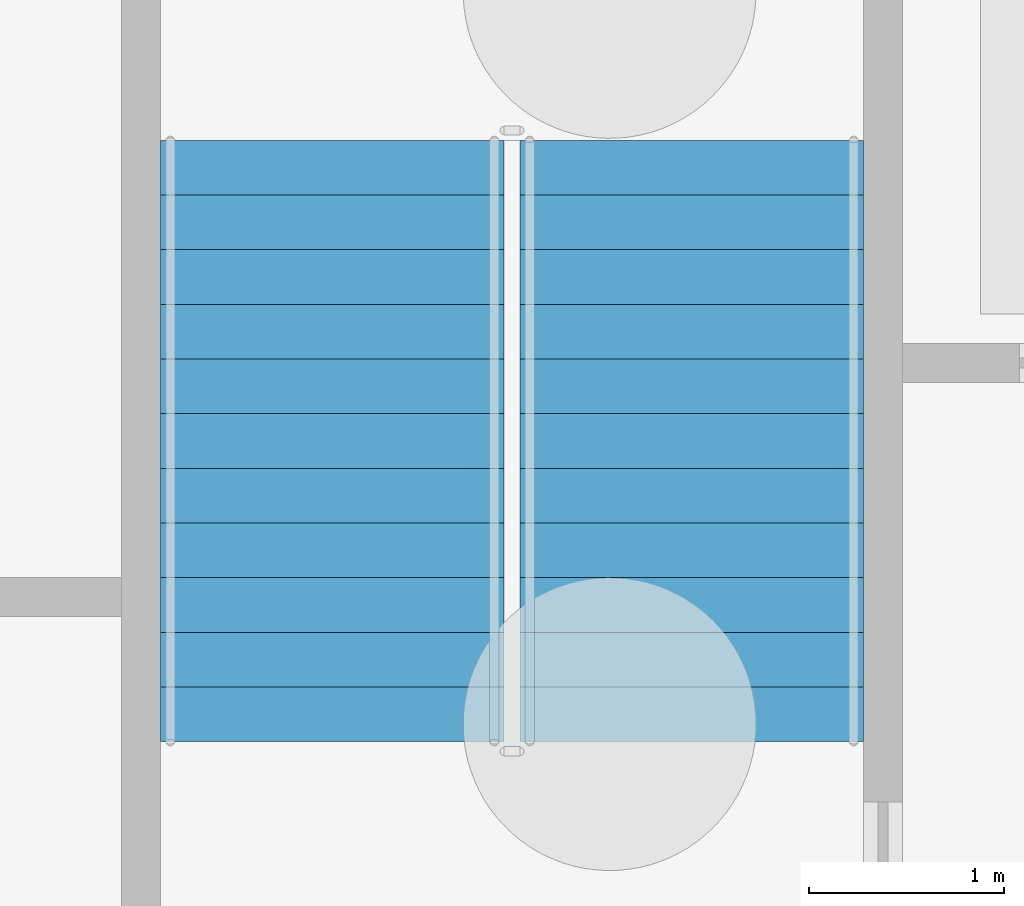
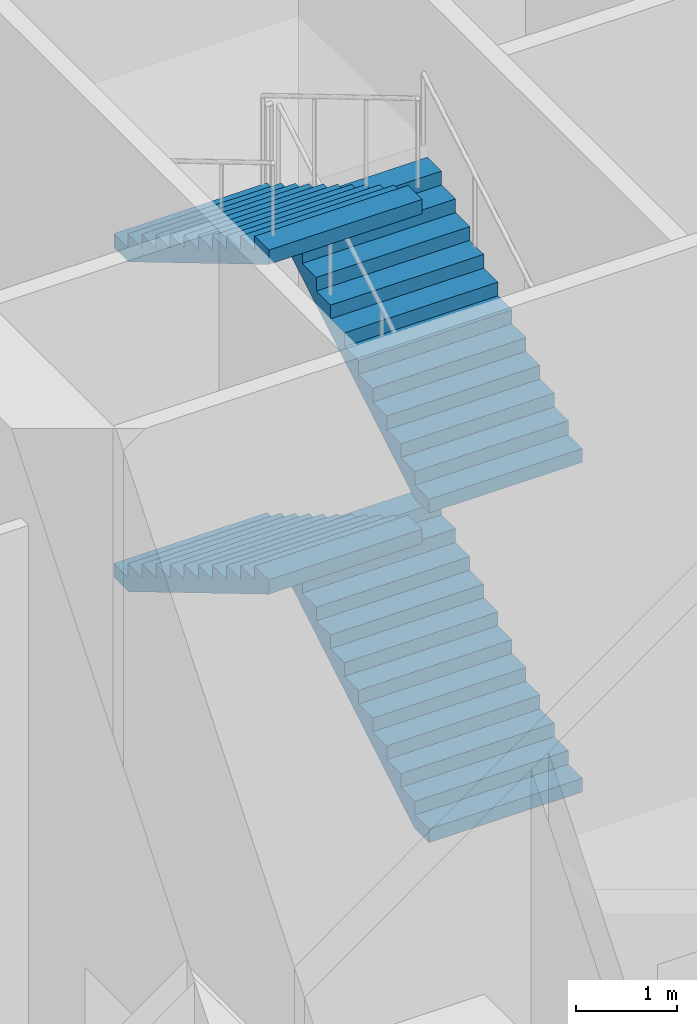
# One storey, part 24 of 34: 4 stair flights, 1 element without a shape of its own.
"""IFC4 building model written with IfcOpenShell, lengths in metres."""

from ifc_helpers import new_model, si_unit, direction, frame, origin, place, context, subcontext, project, spatial, faceted_brep, material, type_object, element, aggregate, save


model = new_model("IFC4")

# Units and contexts
model_context = context("Model", 3, precision=1e-05, world=origin(), true_north=direction((0.0, 1.0)))
body_context = subcontext(model_context, "Body", "Model", "MODEL_VIEW")
ifc_project = project(units=[si_unit("LENGTHUNIT", "METRE"), si_unit("AREAUNIT", "SQUARE_METRE"), si_unit("VOLUMEUNIT", "CUBIC_METRE"), si_unit("PLANEANGLEUNIT", "RADIAN"), si_unit("MASSUNIT", "GRAM", prefix="KILO")], contexts=[model_context])

# Site, building, storey
site_placement = place(None, origin())
site = spatial("IfcSite", under=ifc_project, at=site_placement, CompositionType="ELEMENT")
building_placement = place(site_placement, origin())
building = spatial("IfcBuilding", under=site, at=building_placement, Name="Tarsis Ring Headquarters", CompositionType="ELEMENT")
storey_placement = place(building_placement, origin())
storey = spatial("IfcBuildingStorey", under=building, at=storey_placement, Name="L00", CompositionType="ELEMENT", Elevation=0.0)

# Stair, stair flights
ifc_material_1 = material(Name="Core stair 1760")
stair_type = type_object("IfcStairType", Name="Core stair 1760", PredefinedType="HALF_TURN_STAIR", material=ifc_material_1)
stair_placement = place(storey_placement, origin())
stair = element("IfcStair", 1, at=stair_placement, inside=storey, type_object=stair_type, Name="L00 Firefighting stair", PredefinedType="HALF_TURN_STAIR")
ifc_material_2 = material(Name="Concrete C40/50", Category="concrete")
stair_flight_type = type_object("IfcStairFlightType", Name="Core stair flight 1760", PredefinedType="STRAIGHT", material=ifc_material_2)
stair_flight_1_placement = place(storey_placement, frame((-3.580078125, 3.659912109375, 0.0), z_axis=(0.0, 0.0, 1.0), x_axis=(0.0, 1.0, 0.0)))
stair_flight_1 = element("IfcStairFlight", 2, at=stair_flight_1_placement, type_object=stair_flight_type, Name="Stair ST1 flight 1", NumberOfRisers=12, NumberOfTreads=11, PredefinedType="STRAIGHT", RiserHeight=0.166666667, TreadLength=0.28, context=body_context, shape_type="Brep", body=[
    faceted_brep([(0.0, 0.8798828125, 0.0), (0.0, 0.8798828125, 0.166748046875), (0.280029296875, 0.8798828125, 0.166748046875), (0.280029296875, 0.8798828125, 0.333251953125), (0.56005859375, 0.8798828125, 0.333251953125), (0.56005859375, 0.8798828125, 0.5), (0.840087890625, 0.8798828125, 0.5), (0.840087890625, 0.8798828125, 0.666748046875), (1.1201171875, 0.8798828125, 0.666748046875), (1.1201171875, 0.8798828125, 0.833251953125), (1.39990234375, 0.8798828125, 0.833251953125), (1.39990234375, 0.8798828125, 1.0), (1.679931640625, 0.8798828125, 1.0), (1.679931640625, 0.8798828125, 1.166748046875), (1.9599609375, 0.8798828125, 1.166748046875), (1.9599609375, 0.8798828125, 1.333251953125), (2.239990234375, 0.8798828125, 1.333251953125), (2.239990234375, 0.8798828125, 1.5), (2.52001953125, 0.8798828125, 1.5), (2.52001953125, 0.8798828125, 1.666748046875), (2.800048828125, 0.8798828125, 1.666748046875), (2.800048828125, 0.8798828125, 1.833251953125), (3.080078125, 0.8798828125, 1.833251953125), (3.080078125, 0.8798828125, 1.658935546875), (0.29296875, 0.8798828125, 0.0), (0.29296875, -0.8798828125, 0.0), (3.080078125, -0.8798828125, 1.658935546875), (3.080078125, -0.8798828125, 1.833251953125), (2.800048828125, -0.8798828125, 1.833251953125), (2.800048828125, -0.8798828125, 1.666748046875), (2.52001953125, -0.8798828125, 1.666748046875), (2.52001953125, -0.8798828125, 1.5), (2.239990234375, -0.8798828125, 1.5), (2.239990234375, -0.8798828125, 1.333251953125), (1.9599609375, -0.8798828125, 1.333251953125), (1.9599609375, -0.8798828125, 1.166748046875), (1.679931640625, -0.8798828125, 1.166748046875), (1.679931640625, -0.8798828125, 1.0), (1.39990234375, -0.8798828125, 1.0), (1.39990234375, -0.8798828125, 0.833251953125), (1.1201171875, -0.8798828125, 0.833251953125), (1.1201171875, -0.8798828125, 0.666748046875), (0.840087890625, -0.8798828125, 0.666748046875), (0.840087890625, -0.8798828125, 0.5), (0.56005859375, -0.8798828125, 0.5), (0.56005859375, -0.8798828125, 0.333251953125), (0.280029296875, -0.8798828125, 0.333251953125), (0.280029296875, -0.8798828125, 0.166748046875), (0.0, -0.8798828125, 0.166748046875), (0.0, -0.8798828125, 0.0), (0.0, -0.43994140625, 0.166748046875), (0.0, -0.43994140625, 0.0), (0.0, 0.0, 0.166748046875), (0.0, 0.0, 0.0), (0.0, 0.43994140625, 0.166748046875), (0.0, 0.43994140625, 0.0), (0.280029296875, -0.43994140625, 0.166748046875), (0.280029296875, 0.0, 0.166748046875), (0.280029296875, 0.43994140625, 0.166748046875), (0.280029296875, -0.43994140625, 0.333251953125), (0.280029296875, 0.0, 0.333251953125), (0.280029296875, 0.43994140625, 0.333251953125), (0.56005859375, -0.43994140625, 0.333251953125), (0.56005859375, 0.0, 0.333251953125), (0.56005859375, 0.43994140625, 0.333251953125), (0.56005859375, -0.43994140625, 0.5), (0.56005859375, 0.0, 0.5), (0.56005859375, 0.43994140625, 0.5), (0.840087890625, -0.43994140625, 0.5), (0.840087890625, 0.0, 0.5), (0.840087890625, 0.43994140625, 0.5), (0.840087890625, -0.43994140625, 0.666748046875), (0.840087890625, 0.0, 0.666748046875), (0.840087890625, 0.43994140625, 0.666748046875), (1.1201171875, -0.43994140625, 0.666748046875), (1.1201171875, 0.0, 0.666748046875), (1.1201171875, 0.43994140625, 0.666748046875), (1.1201171875, -0.43994140625, 0.833251953125), (1.1201171875, 0.0, 0.833251953125), (1.1201171875, 0.43994140625, 0.833251953125), (1.39990234375, -0.43994140625, 0.833251953125), (1.39990234375, 0.0, 0.833251953125), (1.39990234375, 0.43994140625, 0.833251953125), (1.39990234375, -0.43994140625, 1.0), (1.39990234375, 0.0, 1.0), (1.39990234375, 0.43994140625, 1.0), (1.679931640625, -0.43994140625, 1.0), (1.679931640625, 0.0, 1.0), (1.679931640625, 0.43994140625, 1.0), (1.679931640625, -0.43994140625, 1.166748046875), (1.679931640625, 0.0, 1.166748046875), (1.679931640625, 0.43994140625, 1.166748046875), (1.9599609375, -0.43994140625, 1.166748046875), (1.9599609375, 0.0, 1.166748046875), (1.9599609375, 0.43994140625, 1.166748046875), (1.9599609375, -0.43994140625, 1.333251953125), (1.9599609375, 0.0, 1.333251953125), (1.9599609375, 0.43994140625, 1.333251953125), (2.239990234375, -0.43994140625, 1.333251953125), (2.239990234375, 0.0, 1.333251953125), (2.239990234375, 0.43994140625, 1.333251953125), (2.239990234375, -0.43994140625, 1.5), (2.239990234375, 0.0, 1.5), (2.239990234375, 0.43994140625, 1.5), (2.52001953125, -0.43994140625, 1.5), (2.52001953125, 0.0, 1.5), (2.52001953125, 0.43994140625, 1.5), (2.52001953125, -0.43994140625, 1.666748046875), (2.52001953125, 0.0, 1.666748046875), (2.52001953125, 0.43994140625, 1.666748046875), (2.800048828125, -0.43994140625, 1.666748046875), (2.800048828125, 0.0, 1.666748046875), (2.800048828125, 0.43994140625, 1.666748046875), (2.800048828125, -0.43994140625, 1.833251953125), (2.800048828125, 0.0, 1.833251953125), (2.800048828125, 0.43994140625, 1.833251953125), (3.080078125, -0.43994140625, 1.833251953125), (3.080078125, 0.0, 1.833251953125), (3.080078125, 0.43994140625, 1.833251953125), (3.080078125, -0.43994140625, 1.658935546875), (3.080078125, 0.0, 1.658935546875), (3.080078125, 0.43994140625, 1.658935546875), (0.29296875, -0.43994140625, 0.0), (0.29296875, 0.0, 0.0), (0.29296875, 0.43994140625, 0.0)], [[[0, 1, 2, 3, 4, 5, 6, 7, 8, 9, 10, 11, 12, 13, 14, 15, 16, 17, 18, 19, 20, 21, 22, 23, 24]], [[25, 26, 27, 28, 29, 30, 31, 32, 33, 34, 35, 36, 37, 38, 39, 40, 41, 42, 43, 44, 45, 46, 47, 48, 49]], [[49, 48, 50, 51]], [[51, 50, 52, 53]], [[53, 52, 54, 55]], [[55, 54, 1, 0]], [[48, 47, 56, 50]], [[50, 56, 57, 52]], [[52, 57, 58, 54]], [[54, 58, 2, 1]], [[47, 46, 59, 56]], [[56, 59, 60, 57]], [[57, 60, 61, 58]], [[58, 61, 3, 2]], [[46, 45, 62, 59]], [[59, 62, 63, 60]], [[60, 63, 64, 61]], [[61, 64, 4, 3]], [[45, 44, 65, 62]], [[62, 65, 66, 63]], [[63, 66, 67, 64]], [[64, 67, 5, 4]], [[44, 43, 68, 65]], [[65, 68, 69, 66]], [[66, 69, 70, 67]], [[67, 70, 6, 5]], [[43, 42, 71, 68]], [[68, 71, 72, 69]], [[69, 72, 73, 70]], [[70, 73, 7, 6]], [[42, 41, 74, 71]], [[71, 74, 75, 72]], [[72, 75, 76, 73]], [[73, 76, 8, 7]], [[41, 40, 77, 74]], [[74, 77, 78, 75]], [[75, 78, 79, 76]], [[76, 79, 9, 8]], [[40, 39, 80, 77]], [[77, 80, 81, 78]], [[78, 81, 82, 79]], [[79, 82, 10, 9]], [[39, 38, 83, 80]], [[80, 83, 84, 81]], [[81, 84, 85, 82]], [[82, 85, 11, 10]], [[38, 37, 86, 83]], [[83, 86, 87, 84]], [[84, 87, 88, 85]], [[85, 88, 12, 11]], [[37, 36, 89, 86]], [[86, 89, 90, 87]], [[87, 90, 91, 88]], [[88, 91, 13, 12]], [[36, 35, 92, 89]], [[89, 92, 93, 90]], [[90, 93, 94, 91]], [[91, 94, 14, 13]], [[35, 34, 95, 92]], [[92, 95, 96, 93]], [[93, 96, 97, 94]], [[94, 97, 15, 14]], [[34, 33, 98, 95]], [[95, 98, 99, 96]], [[96, 99, 100, 97]], [[97, 100, 16, 15]], [[33, 32, 101, 98]], [[98, 101, 102, 99]], [[99, 102, 103, 100]], [[100, 103, 17, 16]], [[32, 31, 104, 101]], [[101, 104, 105, 102]], [[102, 105, 106, 103]], [[103, 106, 18, 17]], [[31, 30, 107, 104]], [[104, 107, 108, 105]], [[105, 108, 109, 106]], [[106, 109, 19, 18]], [[30, 29, 110, 107]], [[107, 110, 111, 108]], [[108, 111, 112, 109]], [[109, 112, 20, 19]], [[29, 28, 113, 110]], [[110, 113, 114, 111]], [[111, 114, 115, 112]], [[112, 115, 21, 20]], [[28, 27, 116, 113]], [[113, 116, 117, 114]], [[114, 117, 118, 115]], [[115, 118, 22, 21]], [[27, 26, 119, 116]], [[116, 119, 120, 117]], [[117, 120, 121, 118]], [[118, 121, 23, 22]], [[26, 25, 122, 119]], [[119, 122, 123, 120]], [[120, 123, 124, 121]], [[121, 124, 24, 23]], [[25, 49, 51, 122]], [[122, 51, 53, 123]], [[123, 53, 55, 124]], [[124, 55, 0, 24]]]),
])
stair_flight_2_placement = place(storey_placement, frame((-5.419921875, 6.739990234375, 2.0), z_axis=(0.0, 0.0, 1.0), x_axis=(0.0, -1.0, 0.0)))
stair_flight_2 = element("IfcStairFlight", 3, at=stair_flight_2_placement, type_object=stair_flight_type, Name="Stair ST1 flight 2", NumberOfRisers=12, NumberOfTreads=11, PredefinedType="STRAIGHT", RiserHeight=0.166666667, TreadLength=0.28, context=body_context, shape_type="Brep", body=[
    faceted_brep([(0.0, 0.8798828125, 0.0), (0.0, 0.8798828125, 0.166748046875), (0.280029296875, 0.8798828125, 0.166748046875), (0.280029296875, 0.8798828125, 0.333251953125), (0.56005859375, 0.8798828125, 0.333251953125), (0.56005859375, 0.8798828125, 0.5), (0.840087890625, 0.8798828125, 0.5), (0.840087890625, 0.8798828125, 0.666748046875), (1.1201171875, 0.8798828125, 0.666748046875), (1.1201171875, 0.8798828125, 0.833251953125), (1.39990234375, 0.8798828125, 0.833251953125), (1.39990234375, 0.8798828125, 1.0), (1.679931640625, 0.8798828125, 1.0), (1.679931640625, 0.8798828125, 1.166748046875), (1.9599609375, 0.8798828125, 1.166748046875), (1.9599609375, 0.8798828125, 1.333251953125), (2.239990234375, 0.8798828125, 1.333251953125), (2.239990234375, 0.8798828125, 1.5), (2.52001953125, 0.8798828125, 1.5), (2.52001953125, 0.8798828125, 1.666748046875), (2.800048828125, 0.8798828125, 1.666748046875), (2.800048828125, 0.8798828125, 1.833251953125), (3.080078125, 0.8798828125, 1.833251953125), (3.080078125, 0.8798828125, 1.658935546875), (0.29296875, 0.8798828125, 0.0), (0.29296875, -0.8798828125, 0.0), (3.080078125, -0.8798828125, 1.658935546875), (3.080078125, -0.8798828125, 1.833251953125), (2.800048828125, -0.8798828125, 1.833251953125), (2.800048828125, -0.8798828125, 1.666748046875), (2.52001953125, -0.8798828125, 1.666748046875), (2.52001953125, -0.8798828125, 1.5), (2.239990234375, -0.8798828125, 1.5), (2.239990234375, -0.8798828125, 1.333251953125), (1.9599609375, -0.8798828125, 1.333251953125), (1.9599609375, -0.8798828125, 1.166748046875), (1.679931640625, -0.8798828125, 1.166748046875), (1.679931640625, -0.8798828125, 1.0), (1.39990234375, -0.8798828125, 1.0), (1.39990234375, -0.8798828125, 0.833251953125), (1.1201171875, -0.8798828125, 0.833251953125), (1.1201171875, -0.8798828125, 0.666748046875), (0.840087890625, -0.8798828125, 0.666748046875), (0.840087890625, -0.8798828125, 0.5), (0.56005859375, -0.8798828125, 0.5), (0.56005859375, -0.8798828125, 0.333251953125), (0.280029296875, -0.8798828125, 0.333251953125), (0.280029296875, -0.8798828125, 0.166748046875), (0.0, -0.8798828125, 0.166748046875), (0.0, -0.8798828125, 0.0), (0.0, -0.43994140625, 0.166748046875), (0.0, -0.43994140625, 0.0), (0.0, 0.0, 0.166748046875), (0.0, 0.0, 0.0), (0.0, 0.43994140625, 0.166748046875), (0.0, 0.43994140625, 0.0), (0.280029296875, -0.43994140625, 0.166748046875), (0.280029296875, 0.0, 0.166748046875), (0.280029296875, 0.43994140625, 0.166748046875), (0.280029296875, -0.43994140625, 0.333251953125), (0.280029296875, 0.0, 0.333251953125), (0.280029296875, 0.43994140625, 0.333251953125), (0.56005859375, -0.43994140625, 0.333251953125), (0.56005859375, 0.0, 0.333251953125), (0.56005859375, 0.43994140625, 0.333251953125), (0.56005859375, -0.43994140625, 0.5), (0.56005859375, 0.0, 0.5), (0.56005859375, 0.43994140625, 0.5), (0.840087890625, -0.43994140625, 0.5), (0.840087890625, 0.0, 0.5), (0.840087890625, 0.43994140625, 0.5), (0.840087890625, -0.43994140625, 0.666748046875), (0.840087890625, 0.0, 0.666748046875), (0.840087890625, 0.43994140625, 0.666748046875), (1.1201171875, -0.43994140625, 0.666748046875), (1.1201171875, 0.0, 0.666748046875), (1.1201171875, 0.43994140625, 0.666748046875), (1.1201171875, -0.43994140625, 0.833251953125), (1.1201171875, 0.0, 0.833251953125), (1.1201171875, 0.43994140625, 0.833251953125), (1.39990234375, -0.43994140625, 0.833251953125), (1.39990234375, 0.0, 0.833251953125), (1.39990234375, 0.43994140625, 0.833251953125), (1.39990234375, -0.43994140625, 1.0), (1.39990234375, 0.0, 1.0), (1.39990234375, 0.43994140625, 1.0), (1.679931640625, -0.43994140625, 1.0), (1.679931640625, 0.0, 1.0), (1.679931640625, 0.43994140625, 1.0), (1.679931640625, -0.43994140625, 1.166748046875), (1.679931640625, 0.0, 1.166748046875), (1.679931640625, 0.43994140625, 1.166748046875), (1.9599609375, -0.43994140625, 1.166748046875), (1.9599609375, 0.0, 1.166748046875), (1.9599609375, 0.43994140625, 1.166748046875), (1.9599609375, -0.43994140625, 1.333251953125), (1.9599609375, 0.0, 1.333251953125), (1.9599609375, 0.43994140625, 1.333251953125), (2.239990234375, -0.43994140625, 1.333251953125), (2.239990234375, 0.0, 1.333251953125), (2.239990234375, 0.43994140625, 1.333251953125), (2.239990234375, -0.43994140625, 1.5), (2.239990234375, 0.0, 1.5), (2.239990234375, 0.43994140625, 1.5), (2.52001953125, -0.43994140625, 1.5), (2.52001953125, 0.0, 1.5), (2.52001953125, 0.43994140625, 1.5), (2.52001953125, -0.43994140625, 1.666748046875), (2.52001953125, 0.0, 1.666748046875), (2.52001953125, 0.43994140625, 1.666748046875), (2.800048828125, -0.43994140625, 1.666748046875), (2.800048828125, 0.0, 1.666748046875), (2.800048828125, 0.43994140625, 1.666748046875), (2.800048828125, -0.43994140625, 1.833251953125), (2.800048828125, 0.0, 1.833251953125), (2.800048828125, 0.43994140625, 1.833251953125), (3.080078125, -0.43994140625, 1.833251953125), (3.080078125, 0.0, 1.833251953125), (3.080078125, 0.43994140625, 1.833251953125), (3.080078125, -0.43994140625, 1.658935546875), (3.080078125, 0.0, 1.658935546875), (3.080078125, 0.43994140625, 1.658935546875), (0.29296875, -0.43994140625, 0.0), (0.29296875, 0.0, 0.0), (0.29296875, 0.43994140625, 0.0)], [[[0, 1, 2, 3, 4, 5, 6, 7, 8, 9, 10, 11, 12, 13, 14, 15, 16, 17, 18, 19, 20, 21, 22, 23, 24]], [[25, 26, 27, 28, 29, 30, 31, 32, 33, 34, 35, 36, 37, 38, 39, 40, 41, 42, 43, 44, 45, 46, 47, 48, 49]], [[49, 48, 50, 51]], [[51, 50, 52, 53]], [[53, 52, 54, 55]], [[55, 54, 1, 0]], [[48, 47, 56, 50]], [[50, 56, 57, 52]], [[52, 57, 58, 54]], [[54, 58, 2, 1]], [[47, 46, 59, 56]], [[56, 59, 60, 57]], [[57, 60, 61, 58]], [[58, 61, 3, 2]], [[46, 45, 62, 59]], [[59, 62, 63, 60]], [[60, 63, 64, 61]], [[61, 64, 4, 3]], [[45, 44, 65, 62]], [[62, 65, 66, 63]], [[63, 66, 67, 64]], [[64, 67, 5, 4]], [[44, 43, 68, 65]], [[65, 68, 69, 66]], [[66, 69, 70, 67]], [[67, 70, 6, 5]], [[43, 42, 71, 68]], [[68, 71, 72, 69]], [[69, 72, 73, 70]], [[70, 73, 7, 6]], [[42, 41, 74, 71]], [[71, 74, 75, 72]], [[72, 75, 76, 73]], [[73, 76, 8, 7]], [[41, 40, 77, 74]], [[74, 77, 78, 75]], [[75, 78, 79, 76]], [[76, 79, 9, 8]], [[40, 39, 80, 77]], [[77, 80, 81, 78]], [[78, 81, 82, 79]], [[79, 82, 10, 9]], [[39, 38, 83, 80]], [[80, 83, 84, 81]], [[81, 84, 85, 82]], [[82, 85, 11, 10]], [[38, 37, 86, 83]], [[83, 86, 87, 84]], [[84, 87, 88, 85]], [[85, 88, 12, 11]], [[37, 36, 89, 86]], [[86, 89, 90, 87]], [[87, 90, 91, 88]], [[88, 91, 13, 12]], [[36, 35, 92, 89]], [[89, 92, 93, 90]], [[90, 93, 94, 91]], [[91, 94, 14, 13]], [[35, 34, 95, 92]], [[92, 95, 96, 93]], [[93, 96, 97, 94]], [[94, 97, 15, 14]], [[34, 33, 98, 95]], [[95, 98, 99, 96]], [[96, 99, 100, 97]], [[97, 100, 16, 15]], [[33, 32, 101, 98]], [[98, 101, 102, 99]], [[99, 102, 103, 100]], [[100, 103, 17, 16]], [[32, 31, 104, 101]], [[101, 104, 105, 102]], [[102, 105, 106, 103]], [[103, 106, 18, 17]], [[31, 30, 107, 104]], [[104, 107, 108, 105]], [[105, 108, 109, 106]], [[106, 109, 19, 18]], [[30, 29, 110, 107]], [[107, 110, 111, 108]], [[108, 111, 112, 109]], [[109, 112, 20, 19]], [[29, 28, 113, 110]], [[110, 113, 114, 111]], [[111, 114, 115, 112]], [[112, 115, 21, 20]], [[28, 27, 116, 113]], [[113, 116, 117, 114]], [[114, 117, 118, 115]], [[115, 118, 22, 21]], [[27, 26, 119, 116]], [[116, 119, 120, 117]], [[117, 120, 121, 118]], [[118, 121, 23, 22]], [[26, 25, 122, 119]], [[119, 122, 123, 120]], [[120, 123, 124, 121]], [[121, 124, 24, 23]], [[25, 49, 51, 122]], [[122, 51, 53, 123]], [[123, 53, 55, 124]], [[124, 55, 0, 24]]]),
])
stair_flight_3_placement = place(storey_placement, frame((-3.580078125, 3.659912109375, 4.0), z_axis=(0.0, 0.0, 1.0), x_axis=(0.0, 1.0, 0.0)))
stair_flight_3 = element("IfcStairFlight", 4, at=stair_flight_3_placement, type_object=stair_flight_type, Name="Stair ST1 flight 3", NumberOfRisers=12, NumberOfTreads=11, PredefinedType="STRAIGHT", RiserHeight=0.166666667, TreadLength=0.28, context=body_context, shape_type="Brep", body=[
    faceted_brep([(0.0, 0.8798828125, 0.0), (0.0, 0.8798828125, 0.166748046875), (0.280029296875, 0.8798828125, 0.166748046875), (0.280029296875, 0.8798828125, 0.333251953125), (0.56005859375, 0.8798828125, 0.333251953125), (0.56005859375, 0.8798828125, 0.5), (0.840087890625, 0.8798828125, 0.5), (0.840087890625, 0.8798828125, 0.666748046875), (1.1201171875, 0.8798828125, 0.666748046875), (1.1201171875, 0.8798828125, 0.833251953125), (1.39990234375, 0.8798828125, 0.833251953125), (1.39990234375, 0.8798828125, 1.0), (1.679931640625, 0.8798828125, 1.0), (1.679931640625, 0.8798828125, 1.166748046875), (1.9599609375, 0.8798828125, 1.166748046875), (1.9599609375, 0.8798828125, 1.333251953125), (2.239990234375, 0.8798828125, 1.333251953125), (2.239990234375, 0.8798828125, 1.5), (2.52001953125, 0.8798828125, 1.5), (2.52001953125, 0.8798828125, 1.666748046875), (2.800048828125, 0.8798828125, 1.666748046875), (2.800048828125, 0.8798828125, 1.833251953125), (3.080078125, 0.8798828125, 1.833251953125), (3.080078125, 0.8798828125, 1.658935546875), (0.29296875, 0.8798828125, 0.0), (0.29296875, -0.8798828125, 0.0), (3.080078125, -0.8798828125, 1.658935546875), (3.080078125, -0.8798828125, 1.833251953125), (2.800048828125, -0.8798828125, 1.833251953125), (2.800048828125, -0.8798828125, 1.666748046875), (2.52001953125, -0.8798828125, 1.666748046875), (2.52001953125, -0.8798828125, 1.5), (2.239990234375, -0.8798828125, 1.5), (2.239990234375, -0.8798828125, 1.333251953125), (1.9599609375, -0.8798828125, 1.333251953125), (1.9599609375, -0.8798828125, 1.166748046875), (1.679931640625, -0.8798828125, 1.166748046875), (1.679931640625, -0.8798828125, 1.0), (1.39990234375, -0.8798828125, 1.0), (1.39990234375, -0.8798828125, 0.833251953125), (1.1201171875, -0.8798828125, 0.833251953125), (1.1201171875, -0.8798828125, 0.666748046875), (0.840087890625, -0.8798828125, 0.666748046875), (0.840087890625, -0.8798828125, 0.5), (0.56005859375, -0.8798828125, 0.5), (0.56005859375, -0.8798828125, 0.333251953125), (0.280029296875, -0.8798828125, 0.333251953125), (0.280029296875, -0.8798828125, 0.166748046875), (0.0, -0.8798828125, 0.166748046875), (0.0, -0.8798828125, 0.0), (0.0, -0.43994140625, 0.166748046875), (0.0, -0.43994140625, 0.0), (0.0, 0.0, 0.166748046875), (0.0, 0.0, 0.0), (0.0, 0.43994140625, 0.166748046875), (0.0, 0.43994140625, 0.0), (0.280029296875, -0.43994140625, 0.166748046875), (0.280029296875, 0.0, 0.166748046875), (0.280029296875, 0.43994140625, 0.166748046875), (0.280029296875, -0.43994140625, 0.333251953125), (0.280029296875, 0.0, 0.333251953125), (0.280029296875, 0.43994140625, 0.333251953125), (0.56005859375, -0.43994140625, 0.333251953125), (0.56005859375, 0.0, 0.333251953125), (0.56005859375, 0.43994140625, 0.333251953125), (0.56005859375, -0.43994140625, 0.5), (0.56005859375, 0.0, 0.5), (0.56005859375, 0.43994140625, 0.5), (0.840087890625, -0.43994140625, 0.5), (0.840087890625, 0.0, 0.5), (0.840087890625, 0.43994140625, 0.5), (0.840087890625, -0.43994140625, 0.666748046875), (0.840087890625, 0.0, 0.666748046875), (0.840087890625, 0.43994140625, 0.666748046875), (1.1201171875, -0.43994140625, 0.666748046875), (1.1201171875, 0.0, 0.666748046875), (1.1201171875, 0.43994140625, 0.666748046875), (1.1201171875, -0.43994140625, 0.833251953125), (1.1201171875, 0.0, 0.833251953125), (1.1201171875, 0.43994140625, 0.833251953125), (1.39990234375, -0.43994140625, 0.833251953125), (1.39990234375, 0.0, 0.833251953125), (1.39990234375, 0.43994140625, 0.833251953125), (1.39990234375, -0.43994140625, 1.0), (1.39990234375, 0.0, 1.0), (1.39990234375, 0.43994140625, 1.0), (1.679931640625, -0.43994140625, 1.0), (1.679931640625, 0.0, 1.0), (1.679931640625, 0.43994140625, 1.0), (1.679931640625, -0.43994140625, 1.166748046875), (1.679931640625, 0.0, 1.166748046875), (1.679931640625, 0.43994140625, 1.166748046875), (1.9599609375, -0.43994140625, 1.166748046875), (1.9599609375, 0.0, 1.166748046875), (1.9599609375, 0.43994140625, 1.166748046875), (1.9599609375, -0.43994140625, 1.333251953125), (1.9599609375, 0.0, 1.333251953125), (1.9599609375, 0.43994140625, 1.333251953125), (2.239990234375, -0.43994140625, 1.333251953125), (2.239990234375, 0.0, 1.333251953125), (2.239990234375, 0.43994140625, 1.333251953125), (2.239990234375, -0.43994140625, 1.5), (2.239990234375, 0.0, 1.5), (2.239990234375, 0.43994140625, 1.5), (2.52001953125, -0.43994140625, 1.5), (2.52001953125, 0.0, 1.5), (2.52001953125, 0.43994140625, 1.5), (2.52001953125, -0.43994140625, 1.666748046875), (2.52001953125, 0.0, 1.666748046875), (2.52001953125, 0.43994140625, 1.666748046875), (2.800048828125, -0.43994140625, 1.666748046875), (2.800048828125, 0.0, 1.666748046875), (2.800048828125, 0.43994140625, 1.666748046875), (2.800048828125, -0.43994140625, 1.833251953125), (2.800048828125, 0.0, 1.833251953125), (2.800048828125, 0.43994140625, 1.833251953125), (3.080078125, -0.43994140625, 1.833251953125), (3.080078125, 0.0, 1.833251953125), (3.080078125, 0.43994140625, 1.833251953125), (3.080078125, -0.43994140625, 1.658935546875), (3.080078125, 0.0, 1.658935546875), (3.080078125, 0.43994140625, 1.658935546875), (0.29296875, -0.43994140625, 0.0), (0.29296875, 0.0, 0.0), (0.29296875, 0.43994140625, 0.0)], [[[0, 1, 2, 3, 4, 5, 6, 7, 8, 9, 10, 11, 12, 13, 14, 15, 16, 17, 18, 19, 20, 21, 22, 23, 24]], [[25, 26, 27, 28, 29, 30, 31, 32, 33, 34, 35, 36, 37, 38, 39, 40, 41, 42, 43, 44, 45, 46, 47, 48, 49]], [[49, 48, 50, 51]], [[51, 50, 52, 53]], [[53, 52, 54, 55]], [[55, 54, 1, 0]], [[48, 47, 56, 50]], [[50, 56, 57, 52]], [[52, 57, 58, 54]], [[54, 58, 2, 1]], [[47, 46, 59, 56]], [[56, 59, 60, 57]], [[57, 60, 61, 58]], [[58, 61, 3, 2]], [[46, 45, 62, 59]], [[59, 62, 63, 60]], [[60, 63, 64, 61]], [[61, 64, 4, 3]], [[45, 44, 65, 62]], [[62, 65, 66, 63]], [[63, 66, 67, 64]], [[64, 67, 5, 4]], [[44, 43, 68, 65]], [[65, 68, 69, 66]], [[66, 69, 70, 67]], [[67, 70, 6, 5]], [[43, 42, 71, 68]], [[68, 71, 72, 69]], [[69, 72, 73, 70]], [[70, 73, 7, 6]], [[42, 41, 74, 71]], [[71, 74, 75, 72]], [[72, 75, 76, 73]], [[73, 76, 8, 7]], [[41, 40, 77, 74]], [[74, 77, 78, 75]], [[75, 78, 79, 76]], [[76, 79, 9, 8]], [[40, 39, 80, 77]], [[77, 80, 81, 78]], [[78, 81, 82, 79]], [[79, 82, 10, 9]], [[39, 38, 83, 80]], [[80, 83, 84, 81]], [[81, 84, 85, 82]], [[82, 85, 11, 10]], [[38, 37, 86, 83]], [[83, 86, 87, 84]], [[84, 87, 88, 85]], [[85, 88, 12, 11]], [[37, 36, 89, 86]], [[86, 89, 90, 87]], [[87, 90, 91, 88]], [[88, 91, 13, 12]], [[36, 35, 92, 89]], [[89, 92, 93, 90]], [[90, 93, 94, 91]], [[91, 94, 14, 13]], [[35, 34, 95, 92]], [[92, 95, 96, 93]], [[93, 96, 97, 94]], [[94, 97, 15, 14]], [[34, 33, 98, 95]], [[95, 98, 99, 96]], [[96, 99, 100, 97]], [[97, 100, 16, 15]], [[33, 32, 101, 98]], [[98, 101, 102, 99]], [[99, 102, 103, 100]], [[100, 103, 17, 16]], [[32, 31, 104, 101]], [[101, 104, 105, 102]], [[102, 105, 106, 103]], [[103, 106, 18, 17]], [[31, 30, 107, 104]], [[104, 107, 108, 105]], [[105, 108, 109, 106]], [[106, 109, 19, 18]], [[30, 29, 110, 107]], [[107, 110, 111, 108]], [[108, 111, 112, 109]], [[109, 112, 20, 19]], [[29, 28, 113, 110]], [[110, 113, 114, 111]], [[111, 114, 115, 112]], [[112, 115, 21, 20]], [[28, 27, 116, 113]], [[113, 116, 117, 114]], [[114, 117, 118, 115]], [[115, 118, 22, 21]], [[27, 26, 119, 116]], [[116, 119, 120, 117]], [[117, 120, 121, 118]], [[118, 121, 23, 22]], [[26, 25, 122, 119]], [[119, 122, 123, 120]], [[120, 123, 124, 121]], [[121, 124, 24, 23]], [[25, 49, 51, 122]], [[122, 51, 53, 123]], [[123, 53, 55, 124]], [[124, 55, 0, 24]]]),
])
stair_flight_4_placement = place(storey_placement, frame((-5.419921875, 6.739990234375, 6.0), z_axis=(0.0, 0.0, 1.0), x_axis=(0.0, -1.0, 0.0)))
stair_flight_4 = element("IfcStairFlight", 5, at=stair_flight_4_placement, type_object=stair_flight_type, Name="Stair ST1 flight 4", NumberOfRisers=12, NumberOfTreads=11, PredefinedType="STRAIGHT", RiserHeight=0.166666667, TreadLength=0.28, context=body_context, shape_type="Brep", body=[
    faceted_brep([(0.0, 0.8798828125, 0.0), (0.0, 0.8798828125, 0.166748046875), (0.280029296875, 0.8798828125, 0.166748046875), (0.280029296875, 0.8798828125, 0.333251953125), (0.56005859375, 0.8798828125, 0.333251953125), (0.56005859375, 0.8798828125, 0.5), (0.840087890625, 0.8798828125, 0.5), (0.840087890625, 0.8798828125, 0.666748046875), (1.1201171875, 0.8798828125, 0.666748046875), (1.1201171875, 0.8798828125, 0.833251953125), (1.39990234375, 0.8798828125, 0.833251953125), (1.39990234375, 0.8798828125, 1.0), (1.679931640625, 0.8798828125, 1.0), (1.679931640625, 0.8798828125, 1.166748046875), (1.9599609375, 0.8798828125, 1.166748046875), (1.9599609375, 0.8798828125, 1.333251953125), (2.239990234375, 0.8798828125, 1.333251953125), (2.239990234375, 0.8798828125, 1.5), (2.52001953125, 0.8798828125, 1.5), (2.52001953125, 0.8798828125, 1.666748046875), (2.800048828125, 0.8798828125, 1.666748046875), (2.800048828125, 0.8798828125, 1.833251953125), (3.080078125, 0.8798828125, 1.833251953125), (3.080078125, 0.8798828125, 1.658935546875), (0.29296875, 0.8798828125, 0.0), (0.29296875, -0.8798828125, 0.0), (3.080078125, -0.8798828125, 1.658935546875), (3.080078125, -0.8798828125, 1.833251953125), (2.800048828125, -0.8798828125, 1.833251953125), (2.800048828125, -0.8798828125, 1.666748046875), (2.52001953125, -0.8798828125, 1.666748046875), (2.52001953125, -0.8798828125, 1.5), (2.239990234375, -0.8798828125, 1.5), (2.239990234375, -0.8798828125, 1.333251953125), (1.9599609375, -0.8798828125, 1.333251953125), (1.9599609375, -0.8798828125, 1.166748046875), (1.679931640625, -0.8798828125, 1.166748046875), (1.679931640625, -0.8798828125, 1.0), (1.39990234375, -0.8798828125, 1.0), (1.39990234375, -0.8798828125, 0.833251953125), (1.1201171875, -0.8798828125, 0.833251953125), (1.1201171875, -0.8798828125, 0.666748046875), (0.840087890625, -0.8798828125, 0.666748046875), (0.840087890625, -0.8798828125, 0.5), (0.56005859375, -0.8798828125, 0.5), (0.56005859375, -0.8798828125, 0.333251953125), (0.280029296875, -0.8798828125, 0.333251953125), (0.280029296875, -0.8798828125, 0.166748046875), (0.0, -0.8798828125, 0.166748046875), (0.0, -0.8798828125, 0.0), (0.0, -0.43994140625, 0.166748046875), (0.0, -0.43994140625, 0.0), (0.0, 0.0, 0.166748046875), (0.0, 0.0, 0.0), (0.0, 0.43994140625, 0.166748046875), (0.0, 0.43994140625, 0.0), (0.280029296875, -0.43994140625, 0.166748046875), (0.280029296875, 0.0, 0.166748046875), (0.280029296875, 0.43994140625, 0.166748046875), (0.280029296875, -0.43994140625, 0.333251953125), (0.280029296875, 0.0, 0.333251953125), (0.280029296875, 0.43994140625, 0.333251953125), (0.56005859375, -0.43994140625, 0.333251953125), (0.56005859375, 0.0, 0.333251953125), (0.56005859375, 0.43994140625, 0.333251953125), (0.56005859375, -0.43994140625, 0.5), (0.56005859375, 0.0, 0.5), (0.56005859375, 0.43994140625, 0.5), (0.840087890625, -0.43994140625, 0.5), (0.840087890625, 0.0, 0.5), (0.840087890625, 0.43994140625, 0.5), (0.840087890625, -0.43994140625, 0.666748046875), (0.840087890625, 0.0, 0.666748046875), (0.840087890625, 0.43994140625, 0.666748046875), (1.1201171875, -0.43994140625, 0.666748046875), (1.1201171875, 0.0, 0.666748046875), (1.1201171875, 0.43994140625, 0.666748046875), (1.1201171875, -0.43994140625, 0.833251953125), (1.1201171875, 0.0, 0.833251953125), (1.1201171875, 0.43994140625, 0.833251953125), (1.39990234375, -0.43994140625, 0.833251953125), (1.39990234375, 0.0, 0.833251953125), (1.39990234375, 0.43994140625, 0.833251953125), (1.39990234375, -0.43994140625, 1.0), (1.39990234375, 0.0, 1.0), (1.39990234375, 0.43994140625, 1.0), (1.679931640625, -0.43994140625, 1.0), (1.679931640625, 0.0, 1.0), (1.679931640625, 0.43994140625, 1.0), (1.679931640625, -0.43994140625, 1.166748046875), (1.679931640625, 0.0, 1.166748046875), (1.679931640625, 0.43994140625, 1.166748046875), (1.9599609375, -0.43994140625, 1.166748046875), (1.9599609375, 0.0, 1.166748046875), (1.9599609375, 0.43994140625, 1.166748046875), (1.9599609375, -0.43994140625, 1.333251953125), (1.9599609375, 0.0, 1.333251953125), (1.9599609375, 0.43994140625, 1.333251953125), (2.239990234375, -0.43994140625, 1.333251953125), (2.239990234375, 0.0, 1.333251953125), (2.239990234375, 0.43994140625, 1.333251953125), (2.239990234375, -0.43994140625, 1.5), (2.239990234375, 0.0, 1.5), (2.239990234375, 0.43994140625, 1.5), (2.52001953125, -0.43994140625, 1.5), (2.52001953125, 0.0, 1.5), (2.52001953125, 0.43994140625, 1.5), (2.52001953125, -0.43994140625, 1.666748046875), (2.52001953125, 0.0, 1.666748046875), (2.52001953125, 0.43994140625, 1.666748046875), (2.800048828125, -0.43994140625, 1.666748046875), (2.800048828125, 0.0, 1.666748046875), (2.800048828125, 0.43994140625, 1.666748046875), (2.800048828125, -0.43994140625, 1.833251953125), (2.800048828125, 0.0, 1.833251953125), (2.800048828125, 0.43994140625, 1.833251953125), (3.080078125, -0.43994140625, 1.833251953125), (3.080078125, 0.0, 1.833251953125), (3.080078125, 0.43994140625, 1.833251953125), (3.080078125, -0.43994140625, 1.658935546875), (3.080078125, 0.0, 1.658935546875), (3.080078125, 0.43994140625, 1.658935546875), (0.29296875, -0.43994140625, 0.0), (0.29296875, 0.0, 0.0), (0.29296875, 0.43994140625, 0.0)], [[[0, 1, 2, 3, 4, 5, 6, 7, 8, 9, 10, 11, 12, 13, 14, 15, 16, 17, 18, 19, 20, 21, 22, 23, 24]], [[25, 26, 27, 28, 29, 30, 31, 32, 33, 34, 35, 36, 37, 38, 39, 40, 41, 42, 43, 44, 45, 46, 47, 48, 49]], [[49, 48, 50, 51]], [[51, 50, 52, 53]], [[53, 52, 54, 55]], [[55, 54, 1, 0]], [[48, 47, 56, 50]], [[50, 56, 57, 52]], [[52, 57, 58, 54]], [[54, 58, 2, 1]], [[47, 46, 59, 56]], [[56, 59, 60, 57]], [[57, 60, 61, 58]], [[58, 61, 3, 2]], [[46, 45, 62, 59]], [[59, 62, 63, 60]], [[60, 63, 64, 61]], [[61, 64, 4, 3]], [[45, 44, 65, 62]], [[62, 65, 66, 63]], [[63, 66, 67, 64]], [[64, 67, 5, 4]], [[44, 43, 68, 65]], [[65, 68, 69, 66]], [[66, 69, 70, 67]], [[67, 70, 6, 5]], [[43, 42, 71, 68]], [[68, 71, 72, 69]], [[69, 72, 73, 70]], [[70, 73, 7, 6]], [[42, 41, 74, 71]], [[71, 74, 75, 72]], [[72, 75, 76, 73]], [[73, 76, 8, 7]], [[41, 40, 77, 74]], [[74, 77, 78, 75]], [[75, 78, 79, 76]], [[76, 79, 9, 8]], [[40, 39, 80, 77]], [[77, 80, 81, 78]], [[78, 81, 82, 79]], [[79, 82, 10, 9]], [[39, 38, 83, 80]], [[80, 83, 84, 81]], [[81, 84, 85, 82]], [[82, 85, 11, 10]], [[38, 37, 86, 83]], [[83, 86, 87, 84]], [[84, 87, 88, 85]], [[85, 88, 12, 11]], [[37, 36, 89, 86]], [[86, 89, 90, 87]], [[87, 90, 91, 88]], [[88, 91, 13, 12]], [[36, 35, 92, 89]], [[89, 92, 93, 90]], [[90, 93, 94, 91]], [[91, 94, 14, 13]], [[35, 34, 95, 92]], [[92, 95, 96, 93]], [[93, 96, 97, 94]], [[94, 97, 15, 14]], [[34, 33, 98, 95]], [[95, 98, 99, 96]], [[96, 99, 100, 97]], [[97, 100, 16, 15]], [[33, 32, 101, 98]], [[98, 101, 102, 99]], [[99, 102, 103, 100]], [[100, 103, 17, 16]], [[32, 31, 104, 101]], [[101, 104, 105, 102]], [[102, 105, 106, 103]], [[103, 106, 18, 17]], [[31, 30, 107, 104]], [[104, 107, 108, 105]], [[105, 108, 109, 106]], [[106, 109, 19, 18]], [[30, 29, 110, 107]], [[107, 110, 111, 108]], [[108, 111, 112, 109]], [[109, 112, 20, 19]], [[29, 28, 113, 110]], [[110, 113, 114, 111]], [[111, 114, 115, 112]], [[112, 115, 21, 20]], [[28, 27, 116, 113]], [[113, 116, 117, 114]], [[114, 117, 118, 115]], [[115, 118, 22, 21]], [[27, 26, 119, 116]], [[116, 119, 120, 117]], [[117, 120, 121, 118]], [[118, 121, 23, 22]], [[26, 25, 122, 119]], [[119, 122, 123, 120]], [[120, 123, 124, 121]], [[121, 124, 24, 23]], [[25, 49, 51, 122]], [[122, 51, 53, 123]], [[123, 53, 55, 124]], [[124, 55, 0, 24]]]),
])
aggregate(stair, [stair_flight_1, stair_flight_2, stair_flight_3, stair_flight_4])

save(model, "model.ifc")
